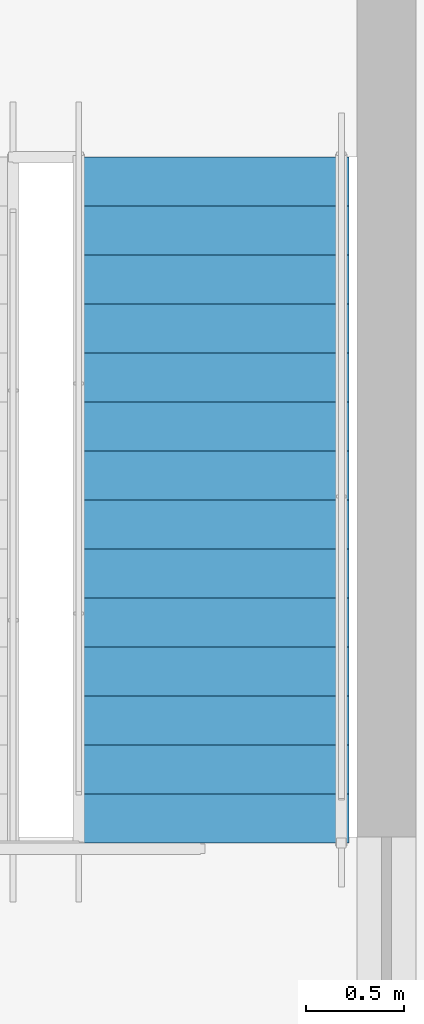
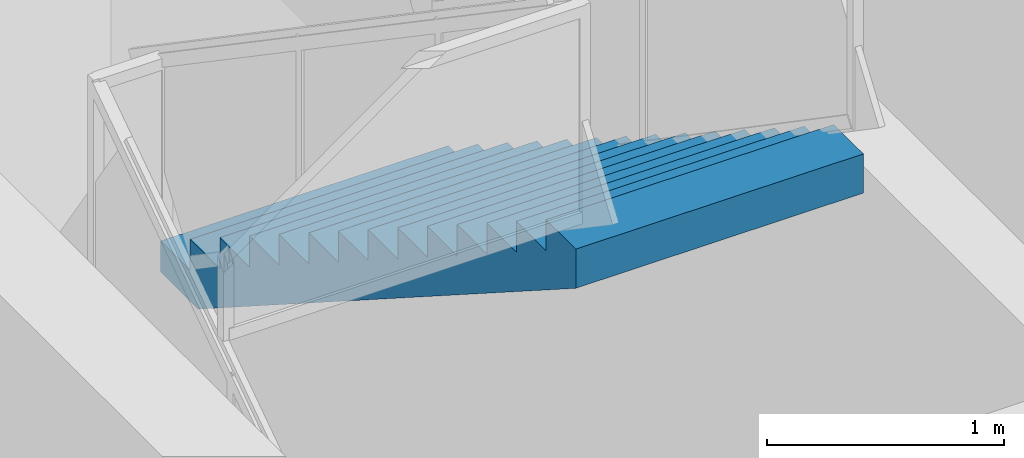
# One storey, part 80 of 94: 1 stair flight, 1 element without a shape of its own.
"""IFC4 building model written with IfcOpenShell, lengths in metres."""

from ifc_helpers import new_model, si_unit, direction, frame, origin, place, context, subcontext, project, spatial, polyline, outline, extrude, material, type_object, element, aggregate, save


model = new_model("IFC4")

# Units and contexts
model_context = context("Model", 3, precision=1e-05, world=origin(), true_north=direction((0.0, 1.0)))
body_context = subcontext(model_context, "Body", "Model", "MODEL_VIEW")
ifc_project = project(units=[si_unit("LENGTHUNIT", "METRE"), si_unit("AREAUNIT", "SQUARE_METRE"), si_unit("VOLUMEUNIT", "CUBIC_METRE"), si_unit("PLANEANGLEUNIT", "RADIAN"), si_unit("MASSUNIT", "GRAM", prefix="KILO")], contexts=[model_context])

# Site, building, storey
site_placement = place(None, origin())
site = spatial("IfcSite", under=ifc_project, at=site_placement, CompositionType="ELEMENT")
building_placement = place(site_placement, origin())
building = spatial("IfcBuilding", under=site, at=building_placement, Name="Linyun Crest Stadium", CompositionType="ELEMENT")
storey_placement = place(building_placement, frame((0.0, 0.0, 16.199951171875)))
storey = spatial("IfcBuildingStorey", under=building, at=storey_placement, Name="L04", CompositionType="ELEMENT", Elevation=16.199951171875)

# Stair, stair flight
ifc_material_1 = material(Name="Concrete C40", Category="concrete")
stair_type = type_object("IfcStairType", Name="STA03", PredefinedType="HALF_TURN_STAIR", material=ifc_material_1)
stair_placement = place(storey_placement, origin())
stair = element("IfcStair", 1, at=stair_placement, inside=storey, type_object=stair_type, Name="Evacuation stair STR-12-L04", PredefinedType="HALF_TURN_STAIR")
ifc_material_2 = material(Name="Concrete C40", Category="concrete")
stair_flight_type = type_object("IfcStairFlightType", Name="STF03", PredefinedType="STRAIGHT", material=ifc_material_2)
stair_flight_placement = place(storey_placement, frame((72.659912109375, 83.239990234375, 2.400146484375), z_axis=(0.0, 0.0, 1.0), x_axis=(0.0, -1.0, 0.0)))
stair_flight = element("IfcStairFlight", 2, at=stair_flight_placement, type_object=stair_flight_type, Name="STR-12-L04 flight 2", NumberOfRisers=15, NumberOfTreads=14, PredefinedType="STRAIGHT", RiserHeight=0.16, TreadLength=0.25, context=body_context, shape_type="SweptSolid", body=[
    extrude(outline(polyline([(0.0, 0.0), (0.0, 0.159912109375), (0.25, 0.159912109375), (0.25, 0.320068359375), (0.5, 0.320068359375), (0.5, 0.47998046875), (0.75, 0.47998046875), (0.75, 0.639892578125), (1.0, 0.639892578125), (1.0, 0.800048828125), (1.25, 0.800048828125), (1.25, 0.9599609375), (1.5, 0.9599609375), (1.5, 1.1201171875), (1.75, 1.1201171875), (1.75, 1.280029296875), (2.0, 1.280029296875), (2.0, 1.43994140625), (2.25, 1.43994140625), (2.25, 1.60009765625), (2.5, 1.60009765625), (2.5, 1.760009765625), (2.75, 1.760009765625), (2.75, 1.919921875), (3.0, 1.919921875), (3.0, 2.080078125), (3.25, 2.080078125), (3.25, 2.239990234375), (3.5, 2.239990234375), (3.5, 2.39990234375), (3.5, 2.038330078125), (0.315185546875, 0.0), (0.0, 0.0)])), frame((0.0, 0.699951171875, 0.0), z_axis=(0.0, -1.0, 0.0), x_axis=(1.0, 0.0, 0.0)), (0.0, 0.0, 1.0), 1.39990234375),
])
aggregate(stair, [stair_flight])

save(model, "model.ifc")
